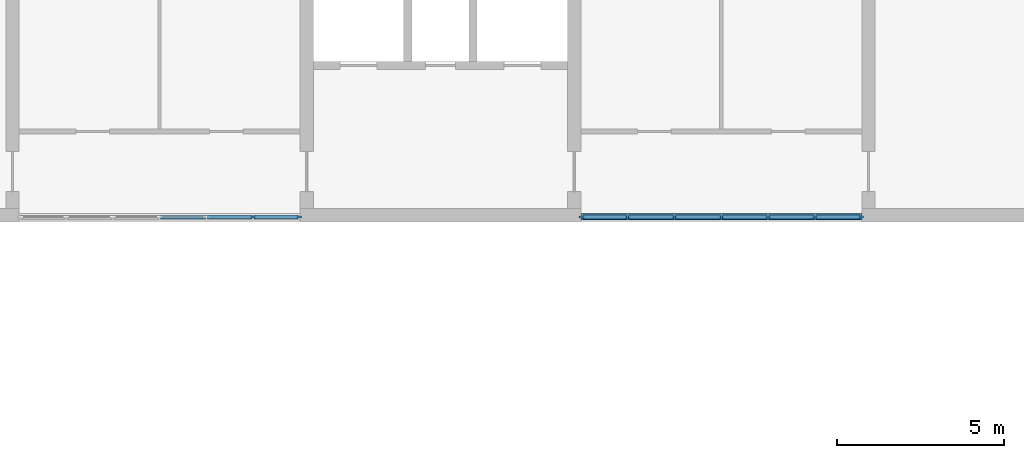
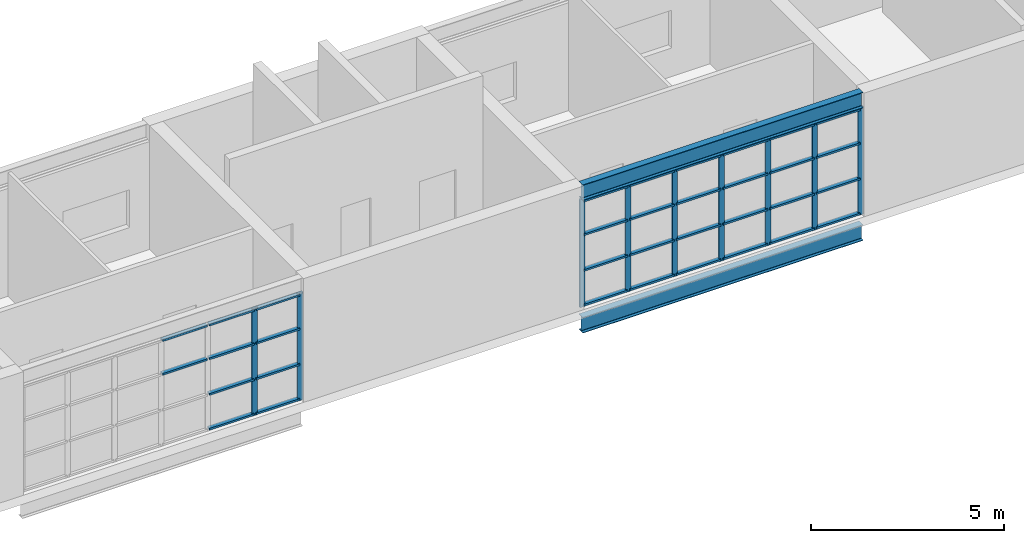
# One storey, part 20 of 100: 43 members, 2 beams, 2 elements without a shape of their own.
"""IFC4 building model written with IfcOpenShell, lengths in metres."""

from ifc_helpers import new_model, si_unit, direction, frame, origin, origin_2d, place, context, subcontext, project, spatial, rectangle, i_section, extrude, material, material_profile, profile_set, type_object, element, aggregate, save


model = new_model("IFC4")

# Units and contexts
model_context = context("Model", 3, precision=1e-05, world=origin(), true_north=direction((0.0, 1.0)))
body_context = subcontext(model_context, "Body", "Model", "MODEL_VIEW")
ifc_project = project(units=[si_unit("LENGTHUNIT", "METRE"), si_unit("AREAUNIT", "SQUARE_METRE"), si_unit("VOLUMEUNIT", "CUBIC_METRE"), si_unit("PLANEANGLEUNIT", "RADIAN"), si_unit("MASSUNIT", "GRAM", prefix="KILO")], contexts=[model_context])

# Site, building, storey
site_placement = place(None, origin())
site = spatial("IfcSite", under=ifc_project, at=site_placement, CompositionType="ELEMENT")
building_placement = place(site_placement, origin())
building = spatial("IfcBuilding", under=site, at=building_placement, Name="Cresset Court Congress Hotel", CompositionType="ELEMENT")
storey_placement = place(building_placement, frame((0.0, 0.0, 10.199951171875)))
storey = spatial("IfcBuildingStorey", under=building, at=storey_placement, Name="L02", CompositionType="ELEMENT", Elevation=10.199951171875)

# Curtain wall, members
ifc_material_1 = material(Name="Aluminium frame with insulated glass", Category="aluminium")
curtain_wall_type = type_object("IfcCurtainWallType", Name="Curtain wall module 1400", PredefinedType="NOTDEFINED", material=ifc_material_1)
curtain_wall_1_placement = place(storey_placement, origin())
curtain_wall_1 = element("IfcCurtainWall", 1, at=curtain_wall_1_placement, inside=storey, type_object=curtain_wall_type, Name="Curtain wall W", PredefinedType="NOTDEFINED")
ifc_material_2 = material(Name="Aluminium", Category="aluminium")
ifc_material_profile_1 = material_profile(ifc_material_2, rectangle(XDim=0.1201171875, YDim=0.06005859375, at=origin_2d()), Name="AL 120x60")
ifc_profile_set_1 = profile_set([ifc_material_profile_1], Name="Aluminium")
member_type_1 = type_object("IfcMemberType", Name="CW transom RECT 120x60", PredefinedType="USERDEFINED", material=ifc_profile_set_1)
member_1_placement = place(storey_placement, frame((21.030029296875, 58.949951171875, 2.291015625), z_axis=(1.0, 0.0, 0.0), x_axis=(0.0, 1.0, 0.0)))
member_1 = element("IfcMember", 2, at=member_1_placement, type_object=member_type_1, Name="D-X2 transom 4.3", ObjectType="TRANSOM", PredefinedType="USERDEFINED", context=body_context, shape_type="SweptSolid", body=[
    extrude(rectangle(XDim=0.1201171875, YDim=0.06005859375, at=origin_2d()), origin(), (0.0, 0.0, 1.0), 1.340087890625),
])
member_2_placement = place(storey_placement, frame((21.030029296875, 58.949951171875, 3.360107421875), z_axis=(1.0, 0.0, 0.0), x_axis=(0.0, 1.0, 0.0)))
member_2 = element("IfcMember", 3, at=member_2_placement, type_object=member_type_1, Name="D-X2 transom 4.4", ObjectType="TRANSOM", PredefinedType="USERDEFINED", context=body_context, shape_type="SweptSolid", body=[
    extrude(rectangle(XDim=0.1201171875, YDim=0.06005859375, at=origin_2d()), origin(), (0.0, 0.0, 1.0), 1.340087890625),
])
member_3_placement = place(storey_placement, frame((22.429931640625, 58.949951171875, 0.06005859375), z_axis=(1.0, 0.0, 0.0), x_axis=(0.0, 1.0, 0.0)))
member_3 = element("IfcMember", 4, at=member_3_placement, type_object=member_type_1, Name="D-X2 transom 5.1", ObjectType="TRANSOM", PredefinedType="USERDEFINED", context=body_context, shape_type="SweptSolid", body=[
    extrude(rectangle(XDim=0.1201171875, YDim=0.06005859375, at=origin_2d()), origin(), (0.0, 0.0, 1.0), 1.340087890625),
])
member_4_placement = place(storey_placement, frame((22.429931640625, 58.949951171875, 1.1630859375), z_axis=(1.0, 0.0, 0.0), x_axis=(0.0, 1.0, 0.0)))
member_4 = element("IfcMember", 5, at=member_4_placement, type_object=member_type_1, Name="D-X2 transom 5.2", ObjectType="TRANSOM", PredefinedType="USERDEFINED", context=body_context, shape_type="SweptSolid", body=[
    extrude(rectangle(XDim=0.1201171875, YDim=0.06005859375, at=origin_2d()), origin(), (0.0, 0.0, 1.0), 1.340087890625),
])
member_5_placement = place(storey_placement, frame((22.429931640625, 58.949951171875, 2.291015625), z_axis=(1.0, 0.0, 0.0), x_axis=(0.0, 1.0, 0.0)))
member_5 = element("IfcMember", 6, at=member_5_placement, type_object=member_type_1, Name="D-X2 transom 5.3", ObjectType="TRANSOM", PredefinedType="USERDEFINED", context=body_context, shape_type="SweptSolid", body=[
    extrude(rectangle(XDim=0.1201171875, YDim=0.06005859375, at=origin_2d()), origin(), (0.0, 0.0, 1.0), 1.340087890625),
])
member_6_placement = place(storey_placement, frame((22.429931640625, 58.949951171875, 3.360107421875), z_axis=(1.0, 0.0, 0.0), x_axis=(0.0, 1.0, 0.0)))
member_6 = element("IfcMember", 7, at=member_6_placement, type_object=member_type_1, Name="D-X2 transom 5.4", ObjectType="TRANSOM", PredefinedType="USERDEFINED", context=body_context, shape_type="SweptSolid", body=[
    extrude(rectangle(XDim=0.1201171875, YDim=0.06005859375, at=origin_2d()), origin(), (0.0, 0.0, 1.0), 1.340087890625),
])
member_7_placement = place(storey_placement, frame((23.830078125, 58.949951171875, 0.06005859375), z_axis=(1.0, 0.0, 0.0), x_axis=(0.0, 1.0, 0.0)))
member_7 = element("IfcMember", 8, at=member_7_placement, type_object=member_type_1, Name="D-X2 transom 6.1", ObjectType="TRANSOM", PredefinedType="USERDEFINED", context=body_context, shape_type="SweptSolid", body=[
    extrude(rectangle(XDim=0.1201171875, YDim=0.06005859375, at=origin_2d()), origin(), (0.0, 0.0, 1.0), 1.309814453125),
])
member_8_placement = place(storey_placement, frame((23.830078125, 58.949951171875, 1.1630859375), z_axis=(1.0, 0.0, 0.0), x_axis=(0.0, 1.0, 0.0)))
member_8 = element("IfcMember", 9, at=member_8_placement, type_object=member_type_1, Name="D-X2 transom 6.2", ObjectType="TRANSOM", PredefinedType="USERDEFINED", context=body_context, shape_type="SweptSolid", body=[
    extrude(rectangle(XDim=0.1201171875, YDim=0.06005859375, at=origin_2d()), origin(), (0.0, 0.0, 1.0), 1.309814453125),
])
member_9_placement = place(storey_placement, frame((23.830078125, 58.949951171875, 2.291015625), z_axis=(1.0, 0.0, 0.0), x_axis=(0.0, 1.0, 0.0)))
member_9 = element("IfcMember", 10, at=member_9_placement, type_object=member_type_1, Name="D-X2 transom 6.3", ObjectType="TRANSOM", PredefinedType="USERDEFINED", context=body_context, shape_type="SweptSolid", body=[
    extrude(rectangle(XDim=0.1201171875, YDim=0.06005859375, at=origin_2d()), origin(), (0.0, 0.0, 1.0), 1.309814453125),
])
member_10_placement = place(storey_placement, frame((23.830078125, 58.949951171875, 3.360107421875), z_axis=(1.0, 0.0, 0.0), x_axis=(0.0, 1.0, 0.0)))
member_10 = element("IfcMember", 11, at=member_10_placement, type_object=member_type_1, Name="D-X2 transom 6.4", ObjectType="TRANSOM", PredefinedType="USERDEFINED", context=body_context, shape_type="SweptSolid", body=[
    extrude(rectangle(XDim=0.1201171875, YDim=0.06005859375, at=origin_2d()), origin(), (0.0, 0.0, 1.0), 1.309814453125),
])

curtain_wall_2_placement = place(storey_placement, origin())
curtain_wall_2 = element("IfcCurtainWall", 12, at=curtain_wall_2_placement, inside=storey, type_object=curtain_wall_type, Name="Curtain wall E", PredefinedType="NOTDEFINED")
member_11_placement = place(storey_placement, frame((33.659912109375, 58.949951171875, 0.06005859375), z_axis=(1.0, 0.0, 0.0), x_axis=(0.0, 1.0, 0.0)))
member_11 = element("IfcMember", 13, at=member_11_placement, type_object=member_type_1, Name="D-X2 transom 1.1", ObjectType="TRANSOM", PredefinedType="USERDEFINED", context=body_context, shape_type="SweptSolid", body=[
    extrude(rectangle(XDim=0.1201171875, YDim=0.06005859375, at=origin_2d()), origin(), (0.0, 0.0, 1.0), 1.31005859375),
])
member_12_placement = place(storey_placement, frame((33.659912109375, 58.949951171875, 1.1630859375), z_axis=(1.0, 0.0, 0.0), x_axis=(0.0, 1.0, 0.0)))
member_12 = element("IfcMember", 14, at=member_12_placement, type_object=member_type_1, Name="D-X2 transom 1.2", ObjectType="TRANSOM", PredefinedType="USERDEFINED", context=body_context, shape_type="SweptSolid", body=[
    extrude(rectangle(XDim=0.1201171875, YDim=0.06005859375, at=origin_2d()), origin(), (0.0, 0.0, 1.0), 1.31005859375),
])
member_13_placement = place(storey_placement, frame((33.659912109375, 58.949951171875, 2.291015625), z_axis=(1.0, 0.0, 0.0), x_axis=(0.0, 1.0, 0.0)))
member_13 = element("IfcMember", 15, at=member_13_placement, type_object=member_type_1, Name="D-X2 transom 1.3", ObjectType="TRANSOM", PredefinedType="USERDEFINED", context=body_context, shape_type="SweptSolid", body=[
    extrude(rectangle(XDim=0.1201171875, YDim=0.06005859375, at=origin_2d()), origin(), (0.0, 0.0, 1.0), 1.31005859375),
])
member_14_placement = place(storey_placement, frame((33.659912109375, 58.949951171875, 3.360107421875), z_axis=(1.0, 0.0, 0.0), x_axis=(0.0, 1.0, 0.0)))
member_14 = element("IfcMember", 16, at=member_14_placement, type_object=member_type_1, Name="D-X2 transom 1.4", ObjectType="TRANSOM", PredefinedType="USERDEFINED", context=body_context, shape_type="SweptSolid", body=[
    extrude(rectangle(XDim=0.1201171875, YDim=0.06005859375, at=origin_2d()), origin(), (0.0, 0.0, 1.0), 1.31005859375),
])
member_15_placement = place(storey_placement, frame((35.030029296875, 58.949951171875, 0.06005859375), z_axis=(1.0, 0.0, 0.0), x_axis=(0.0, 1.0, 0.0)))
member_15 = element("IfcMember", 17, at=member_15_placement, type_object=member_type_1, Name="D-X2 transom 2.1", ObjectType="TRANSOM", PredefinedType="USERDEFINED", context=body_context, shape_type="SweptSolid", body=[
    extrude(rectangle(XDim=0.1201171875, YDim=0.06005859375, at=origin_2d()), origin(), (0.0, 0.0, 1.0), 1.340087890625),
])
member_16_placement = place(storey_placement, frame((35.030029296875, 58.949951171875, 1.1630859375), z_axis=(1.0, 0.0, 0.0), x_axis=(0.0, 1.0, 0.0)))
member_16 = element("IfcMember", 18, at=member_16_placement, type_object=member_type_1, Name="D-X2 transom 2.2", ObjectType="TRANSOM", PredefinedType="USERDEFINED", context=body_context, shape_type="SweptSolid", body=[
    extrude(rectangle(XDim=0.1201171875, YDim=0.06005859375, at=origin_2d()), origin(), (0.0, 0.0, 1.0), 1.340087890625),
])
member_17_placement = place(storey_placement, frame((35.030029296875, 58.949951171875, 2.291015625), z_axis=(1.0, 0.0, 0.0), x_axis=(0.0, 1.0, 0.0)))
member_17 = element("IfcMember", 19, at=member_17_placement, type_object=member_type_1, Name="D-X2 transom 2.3", ObjectType="TRANSOM", PredefinedType="USERDEFINED", context=body_context, shape_type="SweptSolid", body=[
    extrude(rectangle(XDim=0.1201171875, YDim=0.06005859375, at=origin_2d()), origin(), (0.0, 0.0, 1.0), 1.340087890625),
])
member_18_placement = place(storey_placement, frame((35.030029296875, 58.949951171875, 3.360107421875), z_axis=(1.0, 0.0, 0.0), x_axis=(0.0, 1.0, 0.0)))
member_18 = element("IfcMember", 20, at=member_18_placement, type_object=member_type_1, Name="D-X2 transom 2.4", ObjectType="TRANSOM", PredefinedType="USERDEFINED", context=body_context, shape_type="SweptSolid", body=[
    extrude(rectangle(XDim=0.1201171875, YDim=0.06005859375, at=origin_2d()), origin(), (0.0, 0.0, 1.0), 1.340087890625),
])
member_19_placement = place(storey_placement, frame((36.429931640625, 58.949951171875, 0.06005859375), z_axis=(1.0, 0.0, 0.0), x_axis=(0.0, 1.0, 0.0)))
member_19 = element("IfcMember", 21, at=member_19_placement, type_object=member_type_1, Name="D-X2 transom 3.1", ObjectType="TRANSOM", PredefinedType="USERDEFINED", context=body_context, shape_type="SweptSolid", body=[
    extrude(rectangle(XDim=0.1201171875, YDim=0.06005859375, at=origin_2d()), origin(), (0.0, 0.0, 1.0), 1.340087890625),
])
member_20_placement = place(storey_placement, frame((36.429931640625, 58.949951171875, 1.1630859375), z_axis=(1.0, 0.0, 0.0), x_axis=(0.0, 1.0, 0.0)))
member_20 = element("IfcMember", 22, at=member_20_placement, type_object=member_type_1, Name="D-X2 transom 3.2", ObjectType="TRANSOM", PredefinedType="USERDEFINED", context=body_context, shape_type="SweptSolid", body=[
    extrude(rectangle(XDim=0.1201171875, YDim=0.06005859375, at=origin_2d()), origin(), (0.0, 0.0, 1.0), 1.340087890625),
])
member_21_placement = place(storey_placement, frame((36.429931640625, 58.949951171875, 2.291015625), z_axis=(1.0, 0.0, 0.0), x_axis=(0.0, 1.0, 0.0)))
member_21 = element("IfcMember", 23, at=member_21_placement, type_object=member_type_1, Name="D-X2 transom 3.3", ObjectType="TRANSOM", PredefinedType="USERDEFINED", context=body_context, shape_type="SweptSolid", body=[
    extrude(rectangle(XDim=0.1201171875, YDim=0.06005859375, at=origin_2d()), origin(), (0.0, 0.0, 1.0), 1.340087890625),
])
member_22_placement = place(storey_placement, frame((36.429931640625, 58.949951171875, 3.360107421875), z_axis=(1.0, 0.0, 0.0), x_axis=(0.0, 1.0, 0.0)))
member_22 = element("IfcMember", 24, at=member_22_placement, type_object=member_type_1, Name="D-X2 transom 3.4", ObjectType="TRANSOM", PredefinedType="USERDEFINED", context=body_context, shape_type="SweptSolid", body=[
    extrude(rectangle(XDim=0.1201171875, YDim=0.06005859375, at=origin_2d()), origin(), (0.0, 0.0, 1.0), 1.340087890625),
])
member_23_placement = place(storey_placement, frame((37.830078125, 58.949951171875, 0.06005859375), z_axis=(1.0, 0.0, 0.0), x_axis=(0.0, 1.0, 0.0)))
member_23 = element("IfcMember", 25, at=member_23_placement, type_object=member_type_1, Name="D-X2 transom 4.1", ObjectType="TRANSOM", PredefinedType="USERDEFINED", context=body_context, shape_type="SweptSolid", body=[
    extrude(rectangle(XDim=0.1201171875, YDim=0.06005859375, at=origin_2d()), origin(), (0.0, 0.0, 1.0), 1.33984375),
])
member_24_placement = place(storey_placement, frame((37.830078125, 58.949951171875, 1.1630859375), z_axis=(1.0, 0.0, 0.0), x_axis=(0.0, 1.0, 0.0)))
member_24 = element("IfcMember", 26, at=member_24_placement, type_object=member_type_1, Name="D-X2 transom 4.2", ObjectType="TRANSOM", PredefinedType="USERDEFINED", context=body_context, shape_type="SweptSolid", body=[
    extrude(rectangle(XDim=0.1201171875, YDim=0.06005859375, at=origin_2d()), origin(), (0.0, 0.0, 1.0), 1.33984375),
])
member_25_placement = place(storey_placement, frame((37.830078125, 58.949951171875, 2.291015625), z_axis=(1.0, 0.0, 0.0), x_axis=(0.0, 1.0, 0.0)))
member_25 = element("IfcMember", 27, at=member_25_placement, type_object=member_type_1, Name="D-X2 transom 4.3", ObjectType="TRANSOM", PredefinedType="USERDEFINED", context=body_context, shape_type="SweptSolid", body=[
    extrude(rectangle(XDim=0.1201171875, YDim=0.06005859375, at=origin_2d()), origin(), (0.0, 0.0, 1.0), 1.33984375),
])
member_26_placement = place(storey_placement, frame((37.830078125, 58.949951171875, 3.360107421875), z_axis=(1.0, 0.0, 0.0), x_axis=(0.0, 1.0, 0.0)))
member_26 = element("IfcMember", 28, at=member_26_placement, type_object=member_type_1, Name="D-X2 transom 4.4", ObjectType="TRANSOM", PredefinedType="USERDEFINED", context=body_context, shape_type="SweptSolid", body=[
    extrude(rectangle(XDim=0.1201171875, YDim=0.06005859375, at=origin_2d()), origin(), (0.0, 0.0, 1.0), 1.33984375),
])
member_27_placement = place(storey_placement, frame((39.22998046875, 58.949951171875, 0.06005859375), z_axis=(1.0, 0.0, 0.0), x_axis=(0.0, 1.0, 0.0)))
member_27 = element("IfcMember", 29, at=member_27_placement, type_object=member_type_1, Name="D-X2 transom 5.1", ObjectType="TRANSOM", PredefinedType="USERDEFINED", context=body_context, shape_type="SweptSolid", body=[
    extrude(rectangle(XDim=0.1201171875, YDim=0.06005859375, at=origin_2d()), origin(), (0.0, 0.0, 1.0), 1.340087890625),
])
member_28_placement = place(storey_placement, frame((39.22998046875, 58.949951171875, 1.1630859375), z_axis=(1.0, 0.0, 0.0), x_axis=(0.0, 1.0, 0.0)))
member_28 = element("IfcMember", 30, at=member_28_placement, type_object=member_type_1, Name="D-X2 transom 5.2", ObjectType="TRANSOM", PredefinedType="USERDEFINED", context=body_context, shape_type="SweptSolid", body=[
    extrude(rectangle(XDim=0.1201171875, YDim=0.06005859375, at=origin_2d()), origin(), (0.0, 0.0, 1.0), 1.340087890625),
])
member_29_placement = place(storey_placement, frame((39.22998046875, 58.949951171875, 2.291015625), z_axis=(1.0, 0.0, 0.0), x_axis=(0.0, 1.0, 0.0)))
member_29 = element("IfcMember", 31, at=member_29_placement, type_object=member_type_1, Name="D-X2 transom 5.3", ObjectType="TRANSOM", PredefinedType="USERDEFINED", context=body_context, shape_type="SweptSolid", body=[
    extrude(rectangle(XDim=0.1201171875, YDim=0.06005859375, at=origin_2d()), origin(), (0.0, 0.0, 1.0), 1.340087890625),
])
member_30_placement = place(storey_placement, frame((39.22998046875, 58.949951171875, 3.360107421875), z_axis=(1.0, 0.0, 0.0), x_axis=(0.0, 1.0, 0.0)))
member_30 = element("IfcMember", 32, at=member_30_placement, type_object=member_type_1, Name="D-X2 transom 5.4", ObjectType="TRANSOM", PredefinedType="USERDEFINED", context=body_context, shape_type="SweptSolid", body=[
    extrude(rectangle(XDim=0.1201171875, YDim=0.06005859375, at=origin_2d()), origin(), (0.0, 0.0, 1.0), 1.340087890625),
])
member_31_placement = place(storey_placement, frame((40.6298828125, 58.949951171875, 0.06005859375), z_axis=(1.0, 0.0, 0.0), x_axis=(0.0, 1.0, 0.0)))
member_31 = element("IfcMember", 33, at=member_31_placement, type_object=member_type_1, Name="D-X2 transom 6.1", ObjectType="TRANSOM", PredefinedType="USERDEFINED", context=body_context, shape_type="SweptSolid", body=[
    extrude(rectangle(XDim=0.1201171875, YDim=0.06005859375, at=origin_2d()), origin(), (0.0, 0.0, 1.0), 1.31005859375),
])
member_32_placement = place(storey_placement, frame((40.6298828125, 58.949951171875, 1.1630859375), z_axis=(1.0, 0.0, 0.0), x_axis=(0.0, 1.0, 0.0)))
member_32 = element("IfcMember", 34, at=member_32_placement, type_object=member_type_1, Name="D-X2 transom 6.2", ObjectType="TRANSOM", PredefinedType="USERDEFINED", context=body_context, shape_type="SweptSolid", body=[
    extrude(rectangle(XDim=0.1201171875, YDim=0.06005859375, at=origin_2d()), origin(), (0.0, 0.0, 1.0), 1.31005859375),
])
member_33_placement = place(storey_placement, frame((40.6298828125, 58.949951171875, 2.291015625), z_axis=(1.0, 0.0, 0.0), x_axis=(0.0, 1.0, 0.0)))
member_33 = element("IfcMember", 35, at=member_33_placement, type_object=member_type_1, Name="D-X2 transom 6.3", ObjectType="TRANSOM", PredefinedType="USERDEFINED", context=body_context, shape_type="SweptSolid", body=[
    extrude(rectangle(XDim=0.1201171875, YDim=0.06005859375, at=origin_2d()), origin(), (0.0, 0.0, 1.0), 1.31005859375),
])
member_34_placement = place(storey_placement, frame((40.6298828125, 58.949951171875, 3.360107421875), z_axis=(1.0, 0.0, 0.0), x_axis=(0.0, 1.0, 0.0)))
member_34 = element("IfcMember", 36, at=member_34_placement, type_object=member_type_1, Name="D-X2 transom 6.4", ObjectType="TRANSOM", PredefinedType="USERDEFINED", context=body_context, shape_type="SweptSolid", body=[
    extrude(rectangle(XDim=0.1201171875, YDim=0.06005859375, at=origin_2d()), origin(), (0.0, 0.0, 1.0), 1.31005859375),
])

# Member
ifc_material_3 = material(Name="Anodised aluminium", Category="aluminium")
ifc_material_profile_2 = material_profile(ifc_material_3, rectangle(XDim=0.06005859375, YDim=0.159912109375, at=origin_2d()), Name="AL60x160")
ifc_profile_set_2 = profile_set([ifc_material_profile_2], Name="Anodised aluminium")
member_type_2 = type_object("IfcMemberType", Name="Curtain wall mullion 60x160", PredefinedType="MULLION", material=ifc_profile_set_2)
member_35_placement = place(storey_placement, frame((23.800048828125, 58.949951171875, 0.0), z_axis=(0.0, 0.0, 1.0), x_axis=(0.0, 1.0, 0.0)))
member_35 = element("IfcMember", 37, at=member_35_placement, type_object=member_type_2, Name="D-X2 mullion 6", PredefinedType="MULLION", context=body_context, shape_type="SweptSolid", body=[
    extrude(rectangle(XDim=0.06005859375, YDim=0.159912109375, at=origin_2d()), origin(), (0.0, 0.0, 1.0), 3.420166015625),
])

member_36_placement = place(storey_placement, frame((25.169921875, 58.949951171875, 0.0), z_axis=(0.0, 0.0, 1.0), x_axis=(0.0, 1.0, 0.0)))
member_36 = element("IfcMember", 38, at=member_36_placement, type_object=member_type_2, Name="D-X2 mullion 7", PredefinedType="MULLION", context=body_context, shape_type="SweptSolid", body=[
    extrude(rectangle(XDim=0.06005859375, YDim=0.159912109375, at=origin_2d()), origin(), (0.0, 0.0, 1.0), 3.420166015625),
])

aggregate(curtain_wall_1, [member_35, member_36, member_1, member_2, member_3, member_4, member_5, member_6, member_7, member_8, member_9, member_10])

member_37_placement = place(storey_placement, frame((33.6298828125, 58.949951171875, 0.0), z_axis=(0.0, 0.0, 1.0), x_axis=(0.0, 1.0, 0.0)))
member_37 = element("IfcMember", 39, at=member_37_placement, type_object=member_type_2, Name="D-X2 mullion 1", PredefinedType="MULLION", context=body_context, shape_type="SweptSolid", body=[
    extrude(rectangle(XDim=0.06005859375, YDim=0.159912109375, at=origin_2d()), origin(), (0.0, 0.0, 1.0), 3.420166015625),
])

member_38_placement = place(storey_placement, frame((35.0, 58.949951171875, 0.0), z_axis=(0.0, 0.0, 1.0), x_axis=(0.0, 1.0, 0.0)))
member_38 = element("IfcMember", 40, at=member_38_placement, type_object=member_type_2, Name="D-X2 mullion 2", PredefinedType="MULLION", context=body_context, shape_type="SweptSolid", body=[
    extrude(rectangle(XDim=0.06005859375, YDim=0.159912109375, at=origin_2d()), origin(), (0.0, 0.0, 1.0), 3.420166015625),
])

member_39_placement = place(storey_placement, frame((36.39990234375, 58.949951171875, 0.0), z_axis=(0.0, 0.0, 1.0), x_axis=(0.0, 1.0, 0.0)))
member_39 = element("IfcMember", 41, at=member_39_placement, type_object=member_type_2, Name="D-X2 mullion 3", PredefinedType="MULLION", context=body_context, shape_type="SweptSolid", body=[
    extrude(rectangle(XDim=0.06005859375, YDim=0.159912109375, at=origin_2d()), origin(), (0.0, 0.0, 1.0), 3.420166015625),
])

member_40_placement = place(storey_placement, frame((37.800048828125, 58.949951171875, 0.0), z_axis=(0.0, 0.0, 1.0), x_axis=(0.0, 1.0, 0.0)))
member_40 = element("IfcMember", 42, at=member_40_placement, type_object=member_type_2, Name="D-X2 mullion 4", PredefinedType="MULLION", context=body_context, shape_type="SweptSolid", body=[
    extrude(rectangle(XDim=0.06005859375, YDim=0.159912109375, at=origin_2d()), origin(), (0.0, 0.0, 1.0), 3.420166015625),
])

member_41_placement = place(storey_placement, frame((39.199951171875, 58.949951171875, 0.0), z_axis=(0.0, 0.0, 1.0), x_axis=(0.0, 1.0, 0.0)))
member_41 = element("IfcMember", 43, at=member_41_placement, type_object=member_type_2, Name="D-X2 mullion 5", PredefinedType="MULLION", context=body_context, shape_type="SweptSolid", body=[
    extrude(rectangle(XDim=0.06005859375, YDim=0.159912109375, at=origin_2d()), origin(), (0.0, 0.0, 1.0), 3.420166015625),
])

member_42_placement = place(storey_placement, frame((40.60009765625, 58.949951171875, 0.0), z_axis=(0.0, 0.0, 1.0), x_axis=(0.0, 1.0, 0.0)))
member_42 = element("IfcMember", 44, at=member_42_placement, type_object=member_type_2, Name="D-X2 mullion 6", PredefinedType="MULLION", context=body_context, shape_type="SweptSolid", body=[
    extrude(rectangle(XDim=0.06005859375, YDim=0.159912109375, at=origin_2d()), origin(), (0.0, 0.0, 1.0), 3.420166015625),
])

member_43_placement = place(storey_placement, frame((41.969970703125, 58.949951171875, 0.0), z_axis=(0.0, 0.0, 1.0), x_axis=(0.0, 1.0, 0.0)))
member_43 = element("IfcMember", 45, at=member_43_placement, type_object=member_type_2, Name="D-X2 mullion 7", PredefinedType="MULLION", context=body_context, shape_type="SweptSolid", body=[
    extrude(rectangle(XDim=0.06005859375, YDim=0.159912109375, at=origin_2d()), origin(), (0.0, 0.0, 1.0), 3.420166015625),
])

aggregate(curtain_wall_2, [member_37, member_38, member_39, member_40, member_41, member_42, member_43, member_11, member_12, member_13, member_14, member_15, member_16, member_17, member_18, member_19, member_20, member_21, member_22, member_23, member_24, member_25, member_26, member_27, member_28, member_29, member_30, member_31, member_32, member_33, member_34])

# Beams
ifc_material_4 = material(Name="Structural steel Q355B", Category="steel")
ifc_material_profile_3 = material_profile(ifc_material_4, i_section(OverallWidth=0.199951171875, OverallDepth=0.5, WebThickness=0.010009765625, FlangeThickness=0.01611328125, FilletRadius=0.012939453125, at=origin_2d()), Name="HN500x200x10x16")
ifc_profile_set_3 = profile_set([ifc_material_profile_3], Name="Structural steel Q355B")
beam_type = type_object("IfcBeamType", Name="Steel edge beam HN500x200x10x16", PredefinedType="BEAM", material=ifc_profile_set_3)
for number, where, z_axis, x_axis, name in (
    (46, (33.60009765625, 58.949951171875, -0.530029296875), (1.0, 0.0, 0.0), (0.0, 1.0, 0.0), "Foyer edge beam ES"),
    (47, (33.60009765625, 58.949951171875, 3.670166015625), (1.0, 0.0, 0.0), (0.0, 1.0, 0.0), "Foyer edge beam ES"),
):
    element("IfcBeam", number, at=place(storey_placement, frame(where, z_axis=z_axis, x_axis=x_axis)), inside=storey, type_object=beam_type, Name=name, PredefinedType="BEAM", context=body_context, shape_type="SweptSolid", body=[
        extrude(i_section(OverallWidth=0.199951171875, OverallDepth=0.5, WebThickness=0.010009765625, FlangeThickness=0.01611328125, FilletRadius=0.012939453125, at=origin_2d()), origin(), (0.0, 0.0, 1.0), 8.39990234375),
    ])

save(model, "model.ifc")
